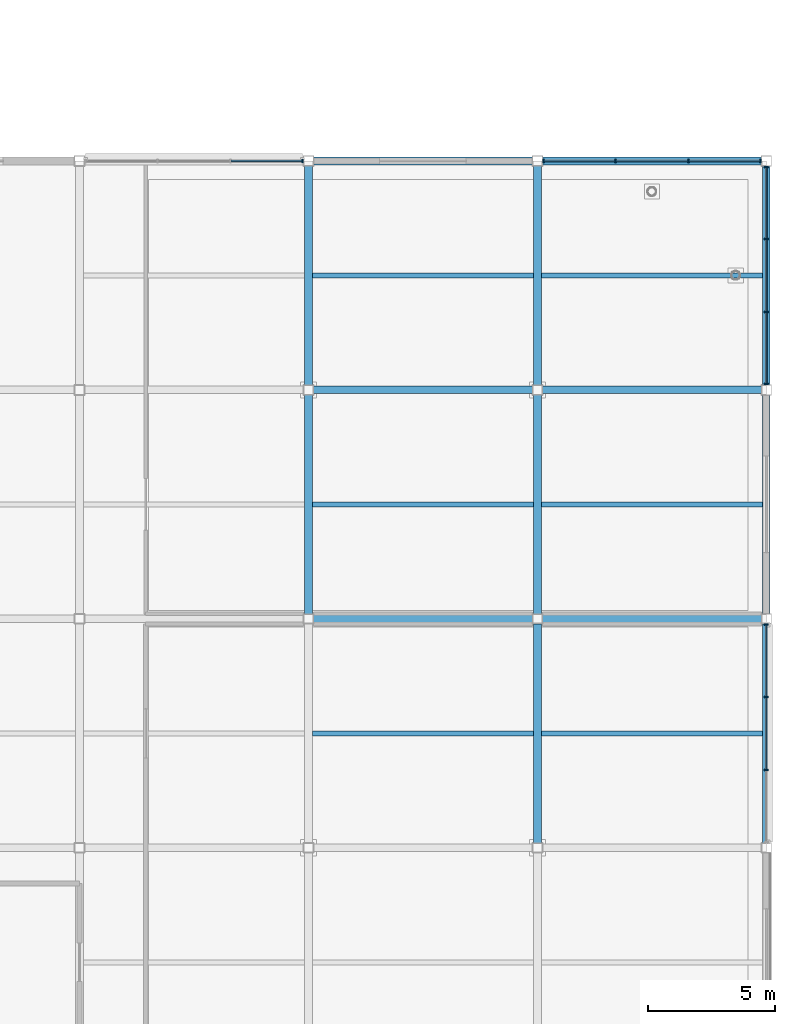
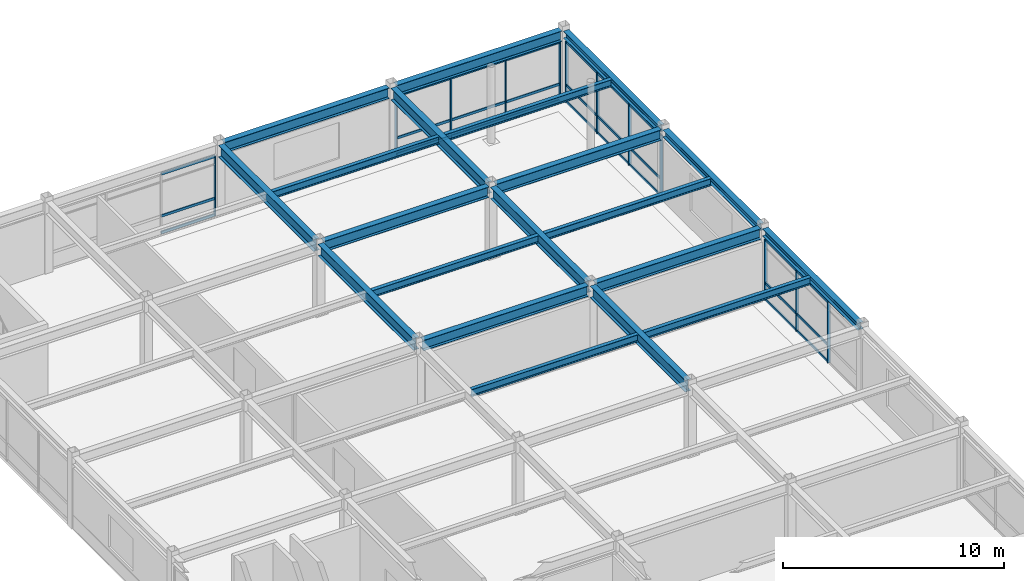
# One storey, part 39 of 70: 39 members, 20 beams, 4 elements without a shape of their own.
"""IFC4 building model written with IfcOpenShell, lengths in metres."""

from ifc_helpers import new_model, si_unit, direction, frame, origin, origin_2d, place, context, subcontext, project, spatial, rectangle, i_section, extrude, material, material_profile, profile_set, type_object, element, aggregate, save


model = new_model("IFC4")

# Units and contexts
model_context = context("Model", 3, precision=1e-05, world=origin(), true_north=direction((0.0, 1.0)))
body_context = subcontext(model_context, "Body", "Model", "MODEL_VIEW")
ifc_project = project(units=[si_unit("LENGTHUNIT", "METRE"), si_unit("AREAUNIT", "SQUARE_METRE"), si_unit("VOLUMEUNIT", "CUBIC_METRE"), si_unit("PLANEANGLEUNIT", "RADIAN"), si_unit("MASSUNIT", "GRAM", prefix="KILO")], contexts=[model_context])

# Site, building, storey
site_placement = place(None, origin())
site = spatial("IfcSite", under=ifc_project, at=site_placement, CompositionType="ELEMENT")
building_placement = place(site_placement, origin())
building = spatial("IfcBuilding", under=site, at=building_placement, Name="Suzunagisa Mobility Hub", CompositionType="ELEMENT")
storey_placement = place(building_placement, frame((0.0, 0.0, 13.5)))
storey = spatial("IfcBuildingStorey", under=building, at=storey_placement, Name="L03", CompositionType="ELEMENT", Elevation=13.5)

# Curtain wall, members
ifc_material_1 = material(Name="Thermally Broken Anodized Aluminum and Low-E Glazing", Category="aluminium")
curtain_wall_type_1 = type_object("IfcCurtainWallType", Name="Unitised Curtain Wall CW-29 8500x3400", PredefinedType="USERDEFINED", material=ifc_material_1)
curtain_wall_1_placement = place(storey_placement, origin())
curtain_wall_1 = element("IfcCurtainWall", 1, at=curtain_wall_1_placement, inside=storey, type_object=curtain_wall_type_1, Name="L03 Unitised Curtain Wall CW-207", ObjectType="UNITISED CURTAIN WALL", PredefinedType="USERDEFINED")
ifc_material_2 = material(Name="Anodized Aluminum 6063-T6", Category="aluminium")
ifc_material_profile_1 = material_profile(ifc_material_2, rectangle(XDim=0.06494140625, YDim=0.139892578125, at=origin_2d()), Name="TRAN-65x140")
ifc_profile_set_1 = profile_set([ifc_material_profile_1], Name="Anodized Aluminum 6063-T6")
member_type_1 = type_object("IfcMemberType", Name="Curtain Wall Framing CM-01 TRAN-65x140", PredefinedType="USERDEFINED", material=ifc_profile_set_1)
member_1_placement = place(storey_placement, frame((180.0, 74.0947265625, 0.032470703125), z_axis=(0.0, 1.0, 0.0), x_axis=(-1.0, 0.0, 0.0)))
member_1 = element("IfcMember", 2, at=member_1_placement, type_object=member_type_1, Name="Curtain Wall Transom 207-T2.1", ObjectType="TRANSOM", PredefinedType="USERDEFINED", context=body_context, shape_type="SweptSolid", body=[
    extrude(rectangle(XDim=0.06494140625, YDim=0.139892578125, at=origin_2d()), origin(), (0.0, 0.0, 1.0), 2.810546875),
])
member_2_placement = place(storey_placement, frame((180.0, 74.0947265625, 0.949951171875), z_axis=(0.0, 1.0, 0.0), x_axis=(-1.0, 0.0, 0.0)))
member_2 = element("IfcMember", 3, at=member_2_placement, type_object=member_type_1, Name="Curtain Wall Transom 207-T2.2", ObjectType="TRANSOM", PredefinedType="USERDEFINED", context=body_context, shape_type="SweptSolid", body=[
    extrude(rectangle(XDim=0.06494140625, YDim=0.139892578125, at=origin_2d()), origin(), (0.0, 0.0, 1.0), 2.810546875),
])
member_3_placement = place(storey_placement, frame((180.0, 74.0947265625, 3.32958984375), z_axis=(0.0, 1.0, 0.0), x_axis=(-1.0, 0.0, 0.0)))
member_3 = element("IfcMember", 4, at=member_3_placement, type_object=member_type_1, Name="Curtain Wall Transom 207-T2.3", ObjectType="TRANSOM", PredefinedType="USERDEFINED", context=body_context, shape_type="SweptSolid", body=[
    extrude(rectangle(XDim=0.06494140625, YDim=0.139892578125, at=origin_2d()), origin(), (0.0, 0.0, 1.0), 2.810546875),
])
member_4_placement = place(storey_placement, frame((180.0, 76.961181640625, 0.032470703125), z_axis=(0.0, 1.0, 0.0), x_axis=(-1.0, 0.0, 0.0)))
member_4 = element("IfcMember", 5, at=member_4_placement, type_object=member_type_1, Name="Curtain Wall Transom 207-T3.1", ObjectType="TRANSOM", PredefinedType="USERDEFINED", context=body_context, shape_type="SweptSolid", body=[
    extrude(rectangle(XDim=0.06494140625, YDim=0.139892578125, at=origin_2d()), origin(), (0.0, 0.0, 1.0), 2.78076171875),
])
member_5_placement = place(storey_placement, frame((180.0, 76.961181640625, 0.949951171875), z_axis=(0.0, 1.0, 0.0), x_axis=(-1.0, 0.0, 0.0)))
member_5 = element("IfcMember", 6, at=member_5_placement, type_object=member_type_1, Name="Curtain Wall Transom 207-T3.2", ObjectType="TRANSOM", PredefinedType="USERDEFINED", context=body_context, shape_type="SweptSolid", body=[
    extrude(rectangle(XDim=0.06494140625, YDim=0.139892578125, at=origin_2d()), origin(), (0.0, 0.0, 1.0), 2.78076171875),
])
member_6_placement = place(storey_placement, frame((180.0, 76.961181640625, 3.32958984375), z_axis=(0.0, 1.0, 0.0), x_axis=(-1.0, 0.0, 0.0)))
member_6 = element("IfcMember", 7, at=member_6_placement, type_object=member_type_1, Name="Curtain Wall Transom 207-T3.3", ObjectType="TRANSOM", PredefinedType="USERDEFINED", context=body_context, shape_type="SweptSolid", body=[
    extrude(rectangle(XDim=0.06494140625, YDim=0.139892578125, at=origin_2d()), origin(), (0.0, 0.0, 1.0), 2.78076171875),
])

curtain_wall_2_placement = place(storey_placement, origin())
curtain_wall_2 = element("IfcCurtainWall", 8, at=curtain_wall_2_placement, inside=storey, type_object=curtain_wall_type_1, Name="L03 Unitised Curtain Wall CW-208", ObjectType="UNITISED CURTAIN WALL", PredefinedType="USERDEFINED")
member_7_placement = place(storey_placement, frame((180.0, 89.258056640625, 0.032470703125), z_axis=(0.0, 1.0, 0.0), x_axis=(-1.0, 0.0, 0.0)))
member_7 = element("IfcMember", 9, at=member_7_placement, type_object=member_type_1, Name="Curtain Wall Transom 208-T1.1", ObjectType="TRANSOM", PredefinedType="USERDEFINED", context=body_context, shape_type="SweptSolid", body=[
    extrude(rectangle(XDim=0.06494140625, YDim=0.139892578125, at=origin_2d()), origin(), (0.0, 0.0, 1.0), 2.78076171875),
])
member_8_placement = place(storey_placement, frame((180.0, 89.258056640625, 0.949951171875), z_axis=(0.0, 1.0, 0.0), x_axis=(-1.0, 0.0, 0.0)))
member_8 = element("IfcMember", 10, at=member_8_placement, type_object=member_type_1, Name="Curtain Wall Transom 208-T1.2", ObjectType="TRANSOM", PredefinedType="USERDEFINED", context=body_context, shape_type="SweptSolid", body=[
    extrude(rectangle(XDim=0.06494140625, YDim=0.139892578125, at=origin_2d()), origin(), (0.0, 0.0, 1.0), 2.78076171875),
])
member_9_placement = place(storey_placement, frame((180.0, 89.258056640625, 3.32958984375), z_axis=(0.0, 1.0, 0.0), x_axis=(-1.0, 0.0, 0.0)))
member_9 = element("IfcMember", 11, at=member_9_placement, type_object=member_type_1, Name="Curtain Wall Transom 208-T1.3", ObjectType="TRANSOM", PredefinedType="USERDEFINED", context=body_context, shape_type="SweptSolid", body=[
    extrude(rectangle(XDim=0.06494140625, YDim=0.139892578125, at=origin_2d()), origin(), (0.0, 0.0, 1.0), 2.78076171875),
])
member_10_placement = place(storey_placement, frame((180.0, 92.0947265625, 0.032470703125), z_axis=(0.0, 1.0, 0.0), x_axis=(-1.0, 0.0, 0.0)))
member_10 = element("IfcMember", 12, at=member_10_placement, type_object=member_type_1, Name="Curtain Wall Transom 208-T2.1", ObjectType="TRANSOM", PredefinedType="USERDEFINED", context=body_context, shape_type="SweptSolid", body=[
    extrude(rectangle(XDim=0.06494140625, YDim=0.139892578125, at=origin_2d()), origin(), (0.0, 0.0, 1.0), 2.810546875),
])
member_11_placement = place(storey_placement, frame((180.0, 92.0947265625, 0.949951171875), z_axis=(0.0, 1.0, 0.0), x_axis=(-1.0, 0.0, 0.0)))
member_11 = element("IfcMember", 13, at=member_11_placement, type_object=member_type_1, Name="Curtain Wall Transom 208-T2.2", ObjectType="TRANSOM", PredefinedType="USERDEFINED", context=body_context, shape_type="SweptSolid", body=[
    extrude(rectangle(XDim=0.06494140625, YDim=0.139892578125, at=origin_2d()), origin(), (0.0, 0.0, 1.0), 2.810546875),
])
member_12_placement = place(storey_placement, frame((180.0, 92.0947265625, 3.32958984375), z_axis=(0.0, 1.0, 0.0), x_axis=(-1.0, 0.0, 0.0)))
member_12 = element("IfcMember", 14, at=member_12_placement, type_object=member_type_1, Name="Curtain Wall Transom 208-T2.3", ObjectType="TRANSOM", PredefinedType="USERDEFINED", context=body_context, shape_type="SweptSolid", body=[
    extrude(rectangle(XDim=0.06494140625, YDim=0.139892578125, at=origin_2d()), origin(), (0.0, 0.0, 1.0), 2.810546875),
])
member_13_placement = place(storey_placement, frame((180.0, 94.961181640625, 0.032470703125), z_axis=(0.0, 1.0, 0.0), x_axis=(-1.0, 0.0, 0.0)))
member_13 = element("IfcMember", 15, at=member_13_placement, type_object=member_type_1, Name="Curtain Wall Transom 208-T3.1", ObjectType="TRANSOM", PredefinedType="USERDEFINED", context=body_context, shape_type="SweptSolid", body=[
    extrude(rectangle(XDim=0.06494140625, YDim=0.139892578125, at=origin_2d()), origin(), (0.0, 0.0, 1.0), 2.78076171875),
])
member_14_placement = place(storey_placement, frame((180.0, 94.961181640625, 0.949951171875), z_axis=(0.0, 1.0, 0.0), x_axis=(-1.0, 0.0, 0.0)))
member_14 = element("IfcMember", 16, at=member_14_placement, type_object=member_type_1, Name="Curtain Wall Transom 208-T3.2", ObjectType="TRANSOM", PredefinedType="USERDEFINED", context=body_context, shape_type="SweptSolid", body=[
    extrude(rectangle(XDim=0.06494140625, YDim=0.139892578125, at=origin_2d()), origin(), (0.0, 0.0, 1.0), 2.78076171875),
])
member_15_placement = place(storey_placement, frame((180.0, 94.961181640625, 3.32958984375), z_axis=(0.0, 1.0, 0.0), x_axis=(-1.0, 0.0, 0.0)))
member_15 = element("IfcMember", 17, at=member_15_placement, type_object=member_type_1, Name="Curtain Wall Transom 208-T3.3", ObjectType="TRANSOM", PredefinedType="USERDEFINED", context=body_context, shape_type="SweptSolid", body=[
    extrude(rectangle(XDim=0.06494140625, YDim=0.139892578125, at=origin_2d()), origin(), (0.0, 0.0, 1.0), 2.78076171875),
])

curtain_wall_type_2 = type_object("IfcCurtainWallType", Name="Unitised Curtain Wall CW-43 8500x3300", PredefinedType="USERDEFINED", material=ifc_material_1)
curtain_wall_3_placement = place(storey_placement, origin())
curtain_wall_3 = element("IfcCurtainWall", 18, at=curtain_wall_3_placement, inside=storey, type_object=curtain_wall_type_2, Name="L03 Unitised Curtain Wall CW-209", ObjectType="UNITISED CURTAIN WALL", PredefinedType="USERDEFINED")
member_16_placement = place(storey_placement, frame((179.741943359375, 98.0, 0.032470703125), z_axis=(-1.0, 0.0, 0.0), x_axis=(0.0, -1.0, 0.0)))
member_16 = element("IfcMember", 19, at=member_16_placement, type_object=member_type_1, Name="Curtain Wall Transom 209-T1.1", ObjectType="TRANSOM", PredefinedType="USERDEFINED", context=body_context, shape_type="SweptSolid", body=[
    extrude(rectangle(XDim=0.06494140625, YDim=0.139892578125, at=origin_2d()), origin(), (0.0, 0.0, 1.0), 2.78076171875),
])
member_17_placement = place(storey_placement, frame((179.741943359375, 98.0, 0.949951171875), z_axis=(-1.0, 0.0, 0.0), x_axis=(0.0, -1.0, 0.0)))
member_17 = element("IfcMember", 20, at=member_17_placement, type_object=member_type_1, Name="Curtain Wall Transom 209-T1.2", ObjectType="TRANSOM", PredefinedType="USERDEFINED", context=body_context, shape_type="SweptSolid", body=[
    extrude(rectangle(XDim=0.06494140625, YDim=0.139892578125, at=origin_2d()), origin(), (0.0, 0.0, 1.0), 2.78076171875),
])
member_18_placement = place(storey_placement, frame((179.741943359375, 98.0, 3.267578125), z_axis=(-1.0, 0.0, 0.0), x_axis=(0.0, -1.0, 0.0)))
member_18 = element("IfcMember", 21, at=member_18_placement, type_object=member_type_1, Name="Curtain Wall Transom 209-T1.3", ObjectType="TRANSOM", PredefinedType="USERDEFINED", context=body_context, shape_type="SweptSolid", body=[
    extrude(rectangle(XDim=0.06494140625, YDim=0.139892578125, at=origin_2d()), origin(), (0.0, 0.0, 1.0), 2.78076171875),
])
member_19_placement = place(storey_placement, frame((176.9052734375, 98.0, 0.032470703125), z_axis=(-1.0, 0.0, 0.0), x_axis=(0.0, -1.0, 0.0)))
member_19 = element("IfcMember", 22, at=member_19_placement, type_object=member_type_1, Name="Curtain Wall Transom 209-T2.1", ObjectType="TRANSOM", PredefinedType="USERDEFINED", context=body_context, shape_type="SweptSolid", body=[
    extrude(rectangle(XDim=0.06494140625, YDim=0.139892578125, at=origin_2d()), origin(), (0.0, 0.0, 1.0), 2.810546875),
])
member_20_placement = place(storey_placement, frame((176.9052734375, 98.0, 0.949951171875), z_axis=(-1.0, 0.0, 0.0), x_axis=(0.0, -1.0, 0.0)))
member_20 = element("IfcMember", 23, at=member_20_placement, type_object=member_type_1, Name="Curtain Wall Transom 209-T2.2", ObjectType="TRANSOM", PredefinedType="USERDEFINED", context=body_context, shape_type="SweptSolid", body=[
    extrude(rectangle(XDim=0.06494140625, YDim=0.139892578125, at=origin_2d()), origin(), (0.0, 0.0, 1.0), 2.810546875),
])
member_21_placement = place(storey_placement, frame((176.9052734375, 98.0, 3.267578125), z_axis=(-1.0, 0.0, 0.0), x_axis=(0.0, -1.0, 0.0)))
member_21 = element("IfcMember", 24, at=member_21_placement, type_object=member_type_1, Name="Curtain Wall Transom 209-T2.3", ObjectType="TRANSOM", PredefinedType="USERDEFINED", context=body_context, shape_type="SweptSolid", body=[
    extrude(rectangle(XDim=0.06494140625, YDim=0.139892578125, at=origin_2d()), origin(), (0.0, 0.0, 1.0), 2.810546875),
])
member_22_placement = place(storey_placement, frame((174.038818359375, 98.0, 0.032470703125), z_axis=(-1.0, 0.0, 0.0), x_axis=(0.0, -1.0, 0.0)))
member_22 = element("IfcMember", 25, at=member_22_placement, type_object=member_type_1, Name="Curtain Wall Transom 209-T3.1", ObjectType="TRANSOM", PredefinedType="USERDEFINED", context=body_context, shape_type="SweptSolid", body=[
    extrude(rectangle(XDim=0.06494140625, YDim=0.139892578125, at=origin_2d()), origin(), (0.0, 0.0, 1.0), 2.78076171875),
])
member_23_placement = place(storey_placement, frame((174.038818359375, 98.0, 0.949951171875), z_axis=(-1.0, 0.0, 0.0), x_axis=(0.0, -1.0, 0.0)))
member_23 = element("IfcMember", 26, at=member_23_placement, type_object=member_type_1, Name="Curtain Wall Transom 209-T3.2", ObjectType="TRANSOM", PredefinedType="USERDEFINED", context=body_context, shape_type="SweptSolid", body=[
    extrude(rectangle(XDim=0.06494140625, YDim=0.139892578125, at=origin_2d()), origin(), (0.0, 0.0, 1.0), 2.78076171875),
])
member_24_placement = place(storey_placement, frame((174.038818359375, 98.0, 3.267578125), z_axis=(-1.0, 0.0, 0.0), x_axis=(0.0, -1.0, 0.0)))
member_24 = element("IfcMember", 27, at=member_24_placement, type_object=member_type_1, Name="Curtain Wall Transom 209-T3.3", ObjectType="TRANSOM", PredefinedType="USERDEFINED", context=body_context, shape_type="SweptSolid", body=[
    extrude(rectangle(XDim=0.06494140625, YDim=0.139892578125, at=origin_2d()), origin(), (0.0, 0.0, 1.0), 2.78076171875),
])

curtain_wall_4_placement = place(storey_placement, origin())
curtain_wall_4 = element("IfcCurtainWall", 28, at=curtain_wall_4_placement, inside=storey, type_object=curtain_wall_type_2, Name="L03 Unitised Curtain Wall CW-210", ObjectType="UNITISED CURTAIN WALL", PredefinedType="USERDEFINED")
member_25_placement = place(storey_placement, frame((161.741943359375, 98.0, 0.032470703125), z_axis=(-1.0, 0.0, 0.0), x_axis=(0.0, -1.0, 0.0)))
member_25 = element("IfcMember", 29, at=member_25_placement, type_object=member_type_1, Name="Curtain Wall Transom 210-T1.1", ObjectType="TRANSOM", PredefinedType="USERDEFINED", context=body_context, shape_type="SweptSolid", body=[
    extrude(rectangle(XDim=0.06494140625, YDim=0.139892578125, at=origin_2d()), origin(), (0.0, 0.0, 1.0), 2.78076171875),
])
member_26_placement = place(storey_placement, frame((161.741943359375, 98.0, 0.949951171875), z_axis=(-1.0, 0.0, 0.0), x_axis=(0.0, -1.0, 0.0)))
member_26 = element("IfcMember", 30, at=member_26_placement, type_object=member_type_1, Name="Curtain Wall Transom 210-T1.2", ObjectType="TRANSOM", PredefinedType="USERDEFINED", context=body_context, shape_type="SweptSolid", body=[
    extrude(rectangle(XDim=0.06494140625, YDim=0.139892578125, at=origin_2d()), origin(), (0.0, 0.0, 1.0), 2.78076171875),
])
member_27_placement = place(storey_placement, frame((161.741943359375, 98.0, 3.267578125), z_axis=(-1.0, 0.0, 0.0), x_axis=(0.0, -1.0, 0.0)))
member_27 = element("IfcMember", 31, at=member_27_placement, type_object=member_type_1, Name="Curtain Wall Transom 210-T1.3", ObjectType="TRANSOM", PredefinedType="USERDEFINED", context=body_context, shape_type="SweptSolid", body=[
    extrude(rectangle(XDim=0.06494140625, YDim=0.139892578125, at=origin_2d()), origin(), (0.0, 0.0, 1.0), 2.78076171875),
])

# Member
ifc_material_profile_2 = material_profile(ifc_material_2, rectangle(XDim=0.06005859375, YDim=0.14990234375, at=origin_2d()), Name="MULL-60x150")
ifc_profile_set_2 = profile_set([ifc_material_profile_2], Name="Anodized Aluminum 6063-T6")
member_type_2 = type_object("IfcMemberType", Name="Curtain Wall Framing CM-03 MULL-60x150", PredefinedType="MULLION", material=ifc_profile_set_2)
member_28_placement = place(storey_placement, frame((180.0, 74.066650390625, 0.0), z_axis=(0.0, 0.0, 1.0), x_axis=(0.0, 1.0, 0.0)))
member_28 = element("IfcMember", 32, at=member_28_placement, type_object=member_type_2, Name="Curtain Wall Mullion 207-M2", PredefinedType="MULLION", context=body_context, shape_type="SweptSolid", body=[
    extrude(rectangle(XDim=0.06005859375, YDim=0.14990234375, at=origin_2d()), origin(), (0.0, 0.0, 1.0), 3.362060546875),
])

member_29_placement = place(storey_placement, frame((180.0, 76.933349609375, 0.0), z_axis=(0.0, 0.0, 1.0), x_axis=(0.0, 1.0, 0.0)))
member_29 = element("IfcMember", 33, at=member_29_placement, type_object=member_type_2, Name="Curtain Wall Mullion 207-M3", PredefinedType="MULLION", context=body_context, shape_type="SweptSolid", body=[
    extrude(rectangle(XDim=0.06005859375, YDim=0.14990234375, at=origin_2d()), origin(), (0.0, 0.0, 1.0), 3.362060546875),
])

member_30_placement = place(storey_placement, frame((180.0, 79.77001953125, 0.0), z_axis=(0.0, 0.0, 1.0), x_axis=(0.0, 1.0, 0.0)))
member_30 = element("IfcMember", 34, at=member_30_placement, type_object=member_type_2, Name="Curtain Wall Mullion 207-M4", PredefinedType="MULLION", context=body_context, shape_type="SweptSolid", body=[
    extrude(rectangle(XDim=0.06005859375, YDim=0.14990234375, at=origin_2d()), origin(), (0.0, 0.0, 1.0), 3.362060546875),
])

aggregate(curtain_wall_1, [member_28, member_29, member_30, member_1, member_2, member_3, member_4, member_5, member_6])

member_31_placement = place(storey_placement, frame((180.0, 89.22998046875, 0.0), z_axis=(0.0, 0.0, 1.0), x_axis=(0.0, 1.0, 0.0)))
member_31 = element("IfcMember", 35, at=member_31_placement, type_object=member_type_2, Name="Curtain Wall Mullion 208-M1", PredefinedType="MULLION", context=body_context, shape_type="SweptSolid", body=[
    extrude(rectangle(XDim=0.06005859375, YDim=0.14990234375, at=origin_2d()), origin(), (0.0, 0.0, 1.0), 3.362060546875),
])

member_32_placement = place(storey_placement, frame((180.0, 92.066650390625, 0.0), z_axis=(0.0, 0.0, 1.0), x_axis=(0.0, 1.0, 0.0)))
member_32 = element("IfcMember", 36, at=member_32_placement, type_object=member_type_2, Name="Curtain Wall Mullion 208-M2", PredefinedType="MULLION", context=body_context, shape_type="SweptSolid", body=[
    extrude(rectangle(XDim=0.06005859375, YDim=0.14990234375, at=origin_2d()), origin(), (0.0, 0.0, 1.0), 3.362060546875),
])

member_33_placement = place(storey_placement, frame((180.0, 94.933349609375, 0.0), z_axis=(0.0, 0.0, 1.0), x_axis=(0.0, 1.0, 0.0)))
member_33 = element("IfcMember", 37, at=member_33_placement, type_object=member_type_2, Name="Curtain Wall Mullion 208-M3", PredefinedType="MULLION", context=body_context, shape_type="SweptSolid", body=[
    extrude(rectangle(XDim=0.06005859375, YDim=0.14990234375, at=origin_2d()), origin(), (0.0, 0.0, 1.0), 3.362060546875),
])

member_34_placement = place(storey_placement, frame((180.0, 97.77001953125, 0.0), z_axis=(0.0, 0.0, 1.0), x_axis=(0.0, 1.0, 0.0)))
member_34 = element("IfcMember", 38, at=member_34_placement, type_object=member_type_2, Name="Curtain Wall Mullion 208-M4", PredefinedType="MULLION", context=body_context, shape_type="SweptSolid", body=[
    extrude(rectangle(XDim=0.06005859375, YDim=0.14990234375, at=origin_2d()), origin(), (0.0, 0.0, 1.0), 3.362060546875),
])

aggregate(curtain_wall_2, [member_31, member_32, member_33, member_34, member_7, member_8, member_9, member_10, member_11, member_12, member_13, member_14, member_15])

member_35_placement = place(storey_placement, frame((179.77001953125, 98.0, 0.0), z_axis=(0.0, 0.0, 1.0), x_axis=(-1.0, 0.0, 0.0)))
member_35 = element("IfcMember", 39, at=member_35_placement, type_object=member_type_2, Name="Curtain Wall Mullion 209-M1", PredefinedType="MULLION", context=body_context, shape_type="SweptSolid", body=[
    extrude(rectangle(XDim=0.06005859375, YDim=0.14990234375, at=origin_2d()), origin(), (0.0, 0.0, 1.0), 3.300048828125),
])

member_36_placement = place(storey_placement, frame((176.933349609375, 98.0, 0.0), z_axis=(0.0, 0.0, 1.0), x_axis=(-1.0, 0.0, 0.0)))
member_36 = element("IfcMember", 40, at=member_36_placement, type_object=member_type_2, Name="Curtain Wall Mullion 209-M2", PredefinedType="MULLION", context=body_context, shape_type="SweptSolid", body=[
    extrude(rectangle(XDim=0.06005859375, YDim=0.14990234375, at=origin_2d()), origin(), (0.0, 0.0, 1.0), 3.300048828125),
])

member_37_placement = place(storey_placement, frame((174.066650390625, 98.0, 0.0), z_axis=(0.0, 0.0, 1.0), x_axis=(-1.0, 0.0, 0.0)))
member_37 = element("IfcMember", 41, at=member_37_placement, type_object=member_type_2, Name="Curtain Wall Mullion 209-M3", PredefinedType="MULLION", context=body_context, shape_type="SweptSolid", body=[
    extrude(rectangle(XDim=0.06005859375, YDim=0.14990234375, at=origin_2d()), origin(), (0.0, 0.0, 1.0), 3.300048828125),
])

member_38_placement = place(storey_placement, frame((171.22998046875, 98.0, 0.0), z_axis=(0.0, 0.0, 1.0), x_axis=(-1.0, 0.0, 0.0)))
member_38 = element("IfcMember", 42, at=member_38_placement, type_object=member_type_2, Name="Curtain Wall Mullion 209-M4", PredefinedType="MULLION", context=body_context, shape_type="SweptSolid", body=[
    extrude(rectangle(XDim=0.06005859375, YDim=0.14990234375, at=origin_2d()), origin(), (0.0, 0.0, 1.0), 3.300048828125),
])

aggregate(curtain_wall_3, [member_35, member_36, member_37, member_38, member_16, member_17, member_18, member_19, member_20, member_21, member_22, member_23, member_24])

member_39_placement = place(storey_placement, frame((161.77001953125, 98.0, 0.0), z_axis=(0.0, 0.0, 1.0), x_axis=(-1.0, 0.0, 0.0)))
member_39 = element("IfcMember", 43, at=member_39_placement, type_object=member_type_2, Name="Curtain Wall Mullion 210-M1", PredefinedType="MULLION", context=body_context, shape_type="SweptSolid", body=[
    extrude(rectangle(XDim=0.06005859375, YDim=0.14990234375, at=origin_2d()), origin(), (0.0, 0.0, 1.0), 3.300048828125),
])

aggregate(curtain_wall_4, [member_39, member_25, member_26, member_27])

# Beams
ifc_material_3 = material(Name="Steel SN490B", Category="steel")
ifc_material_profile_3 = material_profile(ifc_material_3, i_section(OverallWidth=0.300048828125, OverallDepth=0.64990234375, WebThickness=0.012939453125, FlangeThickness=0.02197265625, FilletRadius=0.01611328125, at=origin_2d()), Name="H-650x300x13x22")
ifc_profile_set_3 = profile_set([ifc_material_profile_3], Name="Steel SN490B")
beam_type_1 = type_object("IfcBeamType", Name="Steel Beam BM-10 H-650x300x13x22", PredefinedType="BEAM", material=ifc_profile_set_3)
for number, where, z_axis, x_axis, name in (
    (44, (162.0, 80.196044921875, 3.625), (0.0, 1.0, 0.0), (-1.0, 0.0, 0.0), "L03 Primary Girder GY-2005"),
    (45, (162.0, 89.196044921875, 3.625), (0.0, 1.0, 0.0), (-1.0, 0.0, 0.0), "L03 Primary Girder GY-2006"),
    (46, (171.0, 71.196044921875, 3.625), (0.0, 1.0, 0.0), (-1.0, 0.0, 0.0), "L03 Primary Girder GY-2010"),
    (47, (171.0, 80.196044921875, 3.625), (0.0, 1.0, 0.0), (-1.0, 0.0, 0.0), "L03 Primary Girder GY-2011"),
    (48, (171.0, 89.196044921875, 3.625), (0.0, 1.0, 0.0), (-1.0, 0.0, 0.0), "L03 Primary Girder GY-2012"),
):
    element("IfcBeam", number, at=place(storey_placement, frame(where, z_axis=z_axis, x_axis=x_axis)), inside=storey, type_object=beam_type_1, Name=name, PredefinedType="BEAM", context=body_context, shape_type="SweptSolid", body=[
        extrude(i_section(OverallWidth=0.300048828125, OverallDepth=0.64990234375, WebThickness=0.012939453125, FlangeThickness=0.02197265625, FilletRadius=0.01611328125, at=origin_2d()), origin(), (0.0, 0.0, 1.0), 8.60791015625),
    ])
ifc_material_profile_4 = material_profile(ifc_material_3, i_section(OverallWidth=0.300048828125, OverallDepth=0.389892578125, WebThickness=0.010009765625, FlangeThickness=0.01611328125, FilletRadius=0.012939453125, at=origin_2d()), Name="H-390x300x10x16")
ifc_profile_set_4 = profile_set([ifc_material_profile_4], Name="Steel SN490B")
beam_type_2 = type_object("IfcBeamType", Name="Steel Beam BM-13 H-390x300x10x16", PredefinedType="SPANDREL", material=ifc_profile_set_4)
for number, where, z_axis, x_axis, name in (
    (49, (180.0, 71.196044921875, 3.7548828125), (0.0, 1.0, 0.0), (-1.0, 0.0, 0.0), "L03 Primary Girder GY-2015"),
    (50, (180.0, 80.196044921875, 3.7548828125), (0.0, 1.0, 0.0), (-1.0, 0.0, 0.0), "L03 Primary Girder GY-2016"),
    (51, (180.0, 89.196044921875, 3.7548828125), (0.0, 1.0, 0.0), (-1.0, 0.0, 0.0), "L03 Primary Girder GY-2017"),
):
    element("IfcBeam", number, at=place(storey_placement, frame(where, z_axis=z_axis, x_axis=x_axis)), inside=storey, type_object=beam_type_2, Name=name, PredefinedType="SPANDREL", context=body_context, shape_type="SweptSolid", body=[
        extrude(i_section(OverallWidth=0.300048828125, OverallDepth=0.389892578125, WebThickness=0.010009765625, FlangeThickness=0.01611328125, FilletRadius=0.012939453125, at=origin_2d()), origin(), (0.0, 0.0, 1.0), 8.60791015625),
    ])
ifc_material_4 = material(Name="Steel SN400B", Category="steel")
ifc_material_profile_5 = material_profile(ifc_material_4, i_section(OverallWidth=0.199951171875, OverallDepth=0.39990234375, WebThickness=0.008056640625, FlangeThickness=0.012939453125, FilletRadius=0.012939453125, at=origin_2d()), Name="H-400x200x8x13")
ifc_profile_set_5 = profile_set([ifc_material_profile_5], Name="Steel SN400B")
beam_type_3 = type_object("IfcBeamType", Name="Steel Beam BM-14 H-400x200x8x13", PredefinedType="JOIST", material=ifc_profile_set_5)
for number, where, z_axis, x_axis, name in (
    (52, (162.14990234375, 75.5, 3.75), (1.0, 0.0, 0.0), (0.0, 1.0, 0.0), "L03 Composite Floor Joist J-2030"),
    (53, (162.14990234375, 84.5, 3.75), (1.0, 0.0, 0.0), (0.0, 1.0, 0.0), "L03 Composite Floor Joist J-2031"),
    (54, (162.14990234375, 93.5, 3.75), (1.0, 0.0, 0.0), (0.0, 1.0, 0.0), "L03 Composite Floor Joist J-2032"),
    (55, (171.14990234375, 75.5, 3.75), (1.0, 0.0, 0.0), (0.0, 1.0, 0.0), "L03 Composite Floor Joist J-2035"),
    (56, (171.14990234375, 84.5, 3.75), (1.0, 0.0, 0.0), (0.0, 1.0, 0.0), "L03 Composite Floor Joist J-2036"),
    (57, (171.14990234375, 93.5, 3.75), (1.0, 0.0, 0.0), (0.0, 1.0, 0.0), "L03 Composite Floor Joist J-2037"),
):
    element("IfcBeam", number, at=place(storey_placement, frame(where, z_axis=z_axis, x_axis=x_axis)), inside=storey, type_object=beam_type_3, Name=name, PredefinedType="JOIST", context=body_context, shape_type="SweptSolid", body=[
        extrude(i_section(OverallWidth=0.199951171875, OverallDepth=0.39990234375, WebThickness=0.008056640625, FlangeThickness=0.012939453125, FilletRadius=0.012939453125, at=origin_2d()), origin(), (0.0, 0.0, 1.0), 8.7001953125),
    ])
ifc_material_profile_6 = material_profile(ifc_material_3, i_section(OverallWidth=0.300048828125, OverallDepth=0.587890625, WebThickness=0.011962890625, FlangeThickness=0.02001953125, FilletRadius=0.012939453125, at=origin_2d()), Name="H-588x300x12x20")
ifc_profile_set_6 = profile_set([ifc_material_profile_6], Name="Steel SN490B")
beam_type_4 = type_object("IfcBeamType", Name="Steel Beam BM-16 H-588x300x12x20", PredefinedType="BEAM", material=ifc_profile_set_6)
for number, where, z_axis, x_axis, name in (
    (58, (162.196044921875, 80.0, 3.656005859375), (1.0, 0.0, 0.0), (0.0, 1.0, 0.0), "L03 Primary Girder GX-1979"),
    (59, (171.196044921875, 80.0, 3.656005859375), (1.0, 0.0, 0.0), (0.0, 1.0, 0.0), "L03 Primary Girder GX-1980"),
    (60, (162.196044921875, 89.0, 3.656005859375), (1.0, 0.0, 0.0), (0.0, 1.0, 0.0), "L03 Primary Girder GX-1983"),
    (61, (171.196044921875, 89.0, 3.656005859375), (1.0, 0.0, 0.0), (0.0, 1.0, 0.0), "L03 Primary Girder GX-1984"),
    (62, (162.196044921875, 98.0, 3.656005859375), (1.0, 0.0, 0.0), (0.0, 1.0, 0.0), "L03 Primary Girder GX-1987"),
    (63, (171.196044921875, 98.0, 3.656005859375), (1.0, 0.0, 0.0), (0.0, 1.0, 0.0), "L03 Primary Girder GX-1988"),
):
    element("IfcBeam", number, at=place(storey_placement, frame(where, z_axis=z_axis, x_axis=x_axis)), inside=storey, type_object=beam_type_4, Name=name, PredefinedType="BEAM", context=body_context, shape_type="SweptSolid", body=[
        extrude(i_section(OverallWidth=0.300048828125, OverallDepth=0.587890625, WebThickness=0.011962890625, FlangeThickness=0.02001953125, FilletRadius=0.012939453125, at=origin_2d()), origin(), (0.0, 0.0, 1.0), 8.60791015625),
    ])

save(model, "model.ifc")
